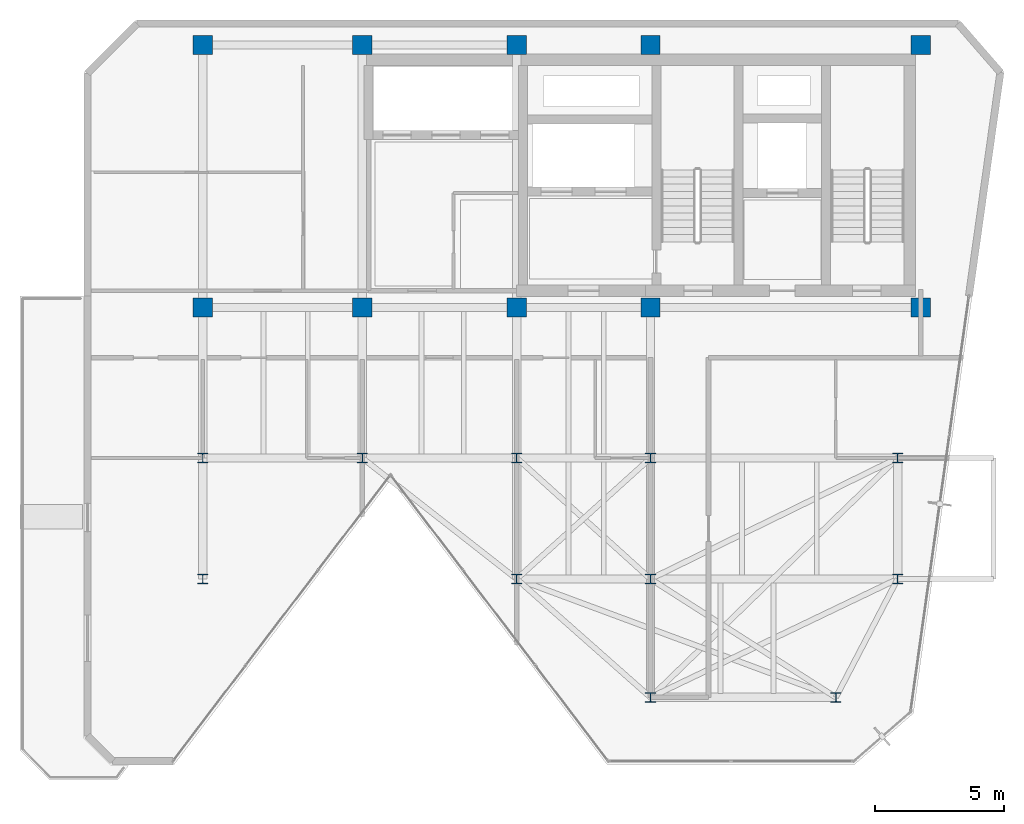
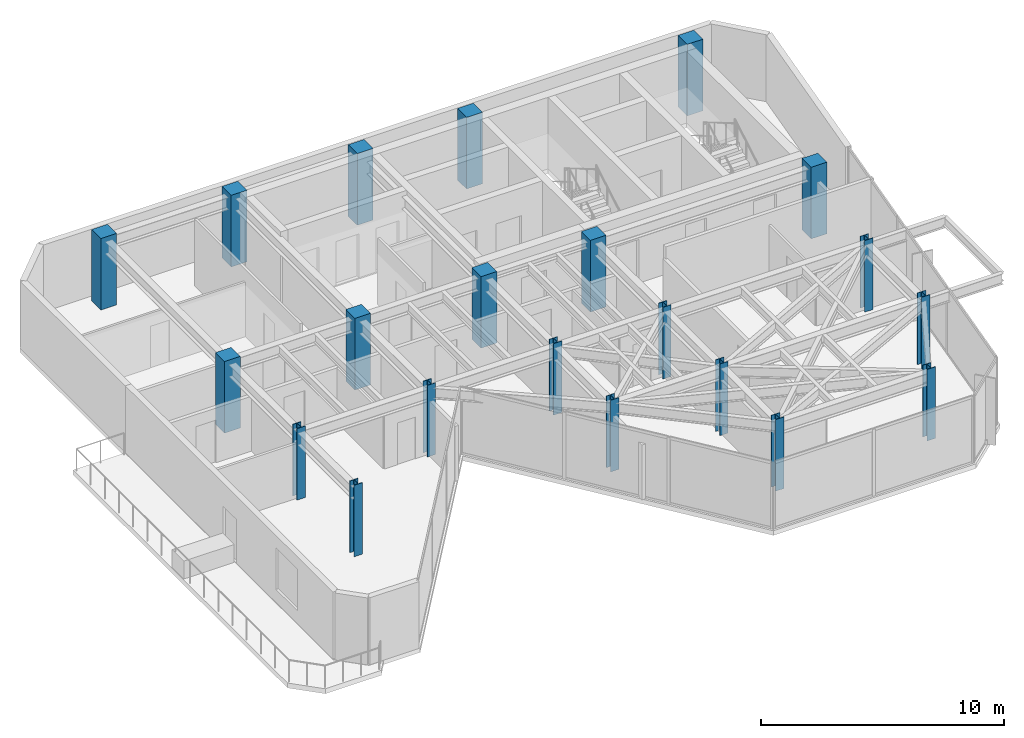
# One storey, part 1 of 16: 21 columns.
"""IFC4 building model written with IfcOpenShell, lengths in metres."""

from ifc_helpers import new_model, si_unit, direction, frame, origin, origin_2d, place, context, subcontext, project, spatial, rectangle, i_section, extrude, material, material_profile, profile_set, type_object, element, save


model = new_model("IFC4")

# Units and contexts
model_context = context("Model", 3, precision=1e-05, world=origin(), true_north=direction((0.0, 1.0)))
body_context = subcontext(model_context, "Body", "Model", "MODEL_VIEW")
ifc_project = project(units=[si_unit("LENGTHUNIT", "METRE"), si_unit("AREAUNIT", "SQUARE_METRE"), si_unit("VOLUMEUNIT", "CUBIC_METRE"), si_unit("PLANEANGLEUNIT", "RADIAN"), si_unit("MASSUNIT", "GRAM", prefix="KILO")], contexts=[model_context])

# Site, building, storey
site_placement = place(None, origin())
site = spatial("IfcSite", under=ifc_project, at=site_placement, CompositionType="ELEMENT")
building_placement = place(site_placement, origin())
building = spatial("IfcBuilding", under=site, at=building_placement, Name="Kravanh Interchange Tower", CompositionType="ELEMENT")
storey_placement = place(building_placement, frame((0.0, 0.0, 296.699951171875)))
storey = spatial("IfcBuildingStorey", under=building, at=storey_placement, Name="L73", CompositionType="ELEMENT", Elevation=296.699951171875)

# Columns
ifc_material_1 = material(Name="Concrete C60/75", Category="concrete")
ifc_material_profile_1 = material_profile(ifc_material_1, rectangle(XDim=0.75, YDim=0.75, at=origin_2d()), Name="RC750X750")
ifc_profile_set_1 = profile_set([ifc_material_profile_1], Name="Concrete C60/75")
column_type_1 = type_object("IfcColumnType", Name="Column RC750X750 Concrete C60/75", PredefinedType="COLUMN", material=ifc_profile_set_1)
for number, where, z_axis, x_axis, name in (
    (1, (66.5, 47.550048828125, 0.0), (0.0, 0.0, 1.0), (1.0, 0.0, 0.0), "L73 Column CS01"),
    (2, (56.0, 47.550048828125, 0.0), (0.0, 0.0, 1.0), (1.0, 0.0, 0.0), "L73 Column CS02"),
    (3, (66.5, 37.35009765625, 0.0), (0.0, 0.0, 1.0), (1.0, 0.0, 0.0), "L73 Column CS03"),
    (4, (56.0, 37.35009765625, 0.0), (0.0, 0.0, 1.0), (1.0, 0.0, 0.0), "L73 Column CS04"),
    (5, (50.800048828125, 47.550048828125, 0.0), (0.0, 0.0, 1.0), (1.0, 0.0, 0.0), "L73 Column CS05"),
    (6, (50.800048828125, 37.35009765625, 0.0), (0.0, 0.0, 1.0), (1.0, 0.0, 0.0), "L73 Column CS06"),
    (7, (44.800048828125, 37.35009765625, 0.0), (0.0, 0.0, 1.0), (1.0, 0.0, 0.0), "L73 Column CS07"),
    (8, (44.800048828125, 47.550048828125, 0.0), (0.0, 0.0, 1.0), (1.0, 0.0, 0.0), "L73 Column CS08"),
    (9, (38.60009765625, 37.35009765625, 0.0), (0.0, 0.0, 1.0), (1.0, 0.0, 0.0), "L73 Column CS09"),
    (10, (38.60009765625, 47.550048828125, 0.0), (0.0, 0.0, 1.0), (1.0, 0.0, 0.0), "L73 Column CS10"),
):
    element("IfcColumn", number, at=place(storey_placement, frame(where, z_axis=z_axis, x_axis=x_axis)), inside=storey, type_object=column_type_1, Name=name, PredefinedType="COLUMN", context=body_context, shape_type="SweptSolid", body=[
        extrude(rectangle(XDim=0.75, YDim=0.75, at=origin_2d()), origin(), (0.0, 0.0, 1.0), 3.60009765625),
    ])
ifc_material_2 = material(Name="Structural Steel S355", Category="steel")
ifc_material_profile_2 = material_profile(ifc_material_2, i_section(OverallWidth=0.39404296875, OverallDepth=0.3759765625, WebThickness=0.017333984375, FlangeThickness=0.027587890625, FilletRadius=0.030029296875, at=origin_2d()), Name="W14X145")
ifc_profile_set_2 = profile_set([ifc_material_profile_2], Name="Structural Steel S355")
column_type_2 = type_object("IfcColumnType", Name="Column W14X145 Structural Steel S355", PredefinedType="COLUMN", material=ifc_profile_set_2)
for number, where, z_axis, x_axis, name in (
    (11, (44.800048828125, 31.5, 0.0), (0.0, 0.0, 1.0), (1.0, 0.0, 0.0), "L73 Column CH_E1"),
    (12, (50.800048828125, 31.5, 0.0), (0.0, 0.0, 1.0), (1.0, 0.0, 0.0), "L73 Column CH_E2"),
    (13, (56.0, 31.5, 0.0), (0.0, 0.0, 1.0), (1.0, 0.0, 0.0), "L73 Column CH_E3"),
    (14, (65.60009765625, 31.5, 0.0), (0.0, 0.0, 1.0), (1.0, 0.0, 0.0), "L73 Column CH_E4"),
    (15, (38.60009765625, 31.5, 0.0), (0.0, 0.0, 1.0), (1.0, 0.0, 0.0), "L73 Column CH_E5"),
    (16, (38.60009765625, 26.800048828125, 0.0), (0.0, 0.0, 1.0), (1.0, 0.0, 0.0), "L73 Column CH_S1"),
    (17, (50.800048828125, 26.800048828125, 0.0), (0.0, 0.0, 1.0), (1.0, 0.0, 0.0), "L73 Column CH_S2"),
    (18, (56.0, 26.800048828125, 0.0), (0.0, 0.0, 1.0), (1.0, 0.0, 0.0), "L73 Column CH_S3"),
    (19, (65.60009765625, 26.800048828125, 0.0), (0.0, 0.0, 1.0), (1.0, 0.0, 0.0), "L73 Column CH_S4"),
    (20, (56.0, 22.199951171875, 0.0), (0.0, 0.0, 1.0), (1.0, 0.0, 0.0), "L73 Column CH_S5"),
    (21, (63.199951171875, 22.199951171875, 0.0), (0.0, 0.0, 1.0), (1.0, 0.0, 0.0), "L73 Column CH_S6"),
):
    element("IfcColumn", number, at=place(storey_placement, frame(where, z_axis=z_axis, x_axis=x_axis)), inside=storey, type_object=column_type_2, Name=name, PredefinedType="COLUMN", context=body_context, shape_type="SweptSolid", body=[
        extrude(i_section(OverallWidth=0.39404296875, OverallDepth=0.3759765625, WebThickness=0.017333984375, FlangeThickness=0.027587890625, FilletRadius=0.030029296875, at=origin_2d()), origin(), (0.0, 0.0, 1.0), 3.60009765625),
    ])

save(model, "model.ifc")
